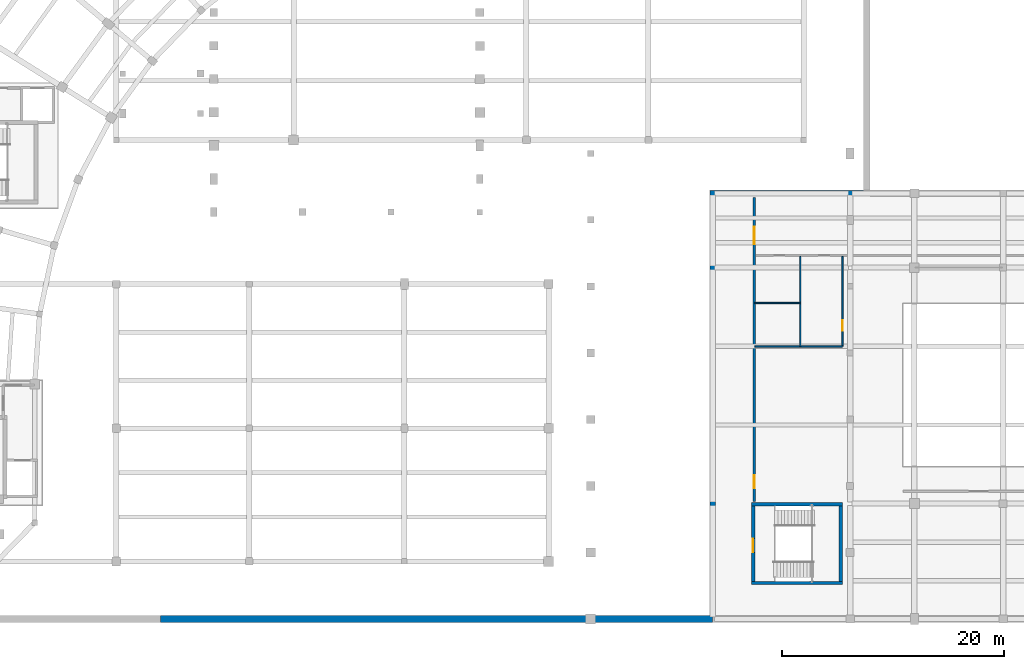
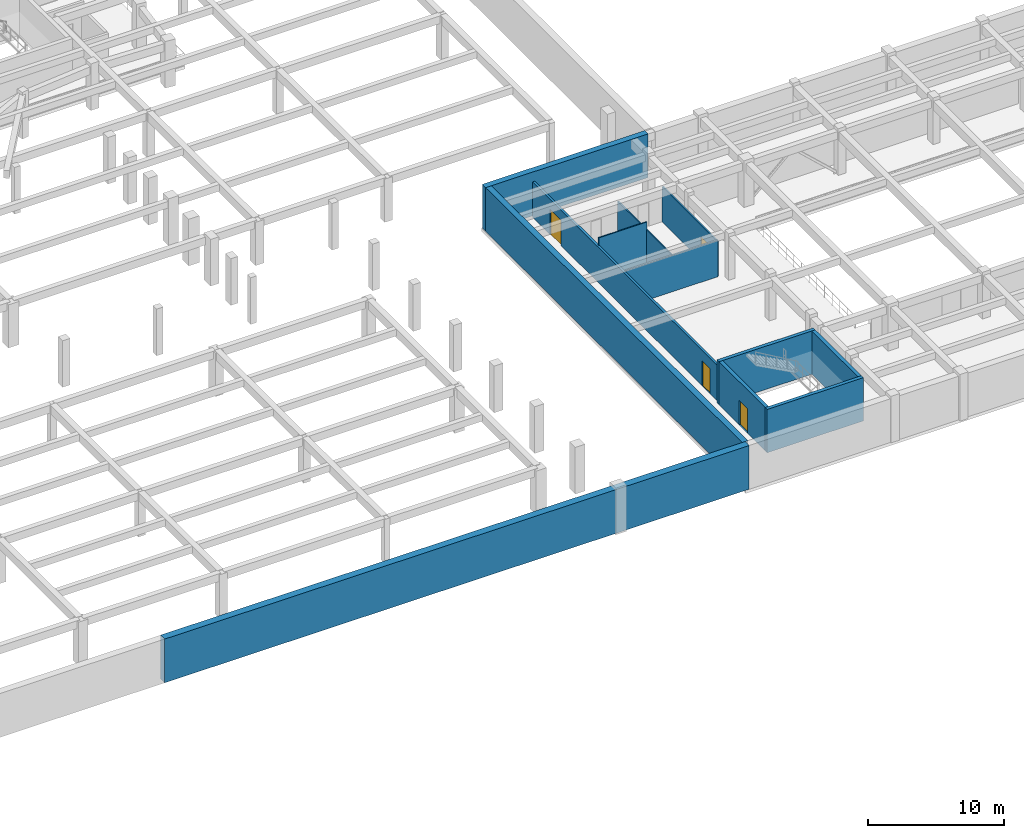
# One storey, part 22 of 35: 12 walls, 4 doors, 4 openings.
"""IFC4 building model written with IfcOpenShell, lengths in metres."""

from ifc_helpers import new_model, si_unit, direction, frame, frame_2d, origin, place, context, subcontext, project, spatial, rectangle, extrude, material, layer, layer_set, type_object, element, fill, save


model = new_model("IFC4")

# Units and contexts
model_context = context("Model", 3, precision=1e-05, world=origin(), true_north=direction((0.0, 1.0)))
body_context = subcontext(model_context, "Body", "Model", "MODEL_VIEW")
ifc_project = project(units=[si_unit("LENGTHUNIT", "METRE"), si_unit("AREAUNIT", "SQUARE_METRE"), si_unit("VOLUMEUNIT", "CUBIC_METRE"), si_unit("PLANEANGLEUNIT", "RADIAN"), si_unit("MASSUNIT", "GRAM", prefix="KILO"), si_unit("THERMODYNAMICTEMPERATUREUNIT", "KELVIN"), si_unit("POWERUNIT", "WATT")], contexts=[model_context])

# Site, building, storey
site_placement = place(None, origin())
site = spatial("IfcSite", under=ifc_project, at=site_placement, CompositionType="ELEMENT")
building_placement = place(site_placement, origin())
building = spatial("IfcBuilding", under=site, at=building_placement, Name="Solvatero Civic Police Headquarters", CompositionType="ELEMENT")
storey_placement = place(building_placement, frame((0.0, 0.0, -4.199951171875)))
storey = spatial("IfcBuildingStorey", under=building, at=storey_placement, Name="B01", CompositionType="ELEMENT", Elevation=-4.199951171875)

# Walls
ifc_material_1 = material(Name="Gypsum Acoustic Stud", Category="gypsum")
ifc_layer_1 = layer(ifc_material_1, 0.10009765625)
ifc_layer_set_1 = layer_set([ifc_layer_1], Name="Gypsum Acoustic Stud")
wall_type_1 = type_object("IfcWallType", Name="WL-PTN-100", PredefinedType="PARTITIONING", material=ifc_layer_set_1)
wall_1_placement = place(storey_placement, frame((113.60009765625, 33.300048828125, 0.0), z_axis=(0.0, 0.0, 1.0), x_axis=(1.0, 0.0, 0.0)))
element("IfcWall", 1, at=wall_1_placement, inside=storey, type_object=wall_type_1, Name="Interior Partition WLP-B01-WC-M", PredefinedType="PARTITIONING", context=body_context, shape_type="SweptSolid", body=[
    extrude(rectangle(XDim=4.099853515625, YDim=0.10009765625, at=frame_2d((2.0498046875, 0.0))), origin(), (0.0, 0.0, 1.0), 3.8798828125),
])
wall_2_placement = place(storey_placement, frame((117.699951171875, 29.39990234375, 0.0), z_axis=(0.0, 0.0, 1.0), x_axis=(0.0, 1.0, 0.0)))
element("IfcWall", 2, at=wall_2_placement, inside=storey, type_object=wall_type_1, Name="Interior Partition WLP-B01-WCA-E", PredefinedType="PARTITIONING", context=body_context, shape_type="SweptSolid", body=[
    extrude(rectangle(XDim=8.10009765625, YDim=0.10009765625, at=frame_2d((4.050048828125, 0.0))), origin(), (0.0, 0.0, 1.0), 3.18798828125),
])

# Wall, opening, door
ifc_material_2 = material(Name="Gypsum Double-Stud", Category="gypsum")
ifc_layer_2 = layer(ifc_material_2, 0.135009765625)
ifc_layer_set_2 = layer_set([ifc_layer_2], Name="Gypsum Double-Stud")
wall_type_2 = type_object("IfcWallType", Name="WL-PTN-135", PredefinedType="PARTITIONING", material=ifc_layer_set_2)
wall_3_placement = place(storey_placement, frame((121.5, 29.39990234375, 0.0), z_axis=(0.0, 0.0, 1.0), x_axis=(0.0, 1.0, 0.0)))
wall_3 = element("IfcWall", 3, at=wall_3_placement, inside=storey, type_object=wall_type_2, Name="Interior Partition WLP-B01-WCE", PredefinedType="PARTITIONING", context=body_context, shape_type="SweptSolid", body=[
    extrude(rectangle(XDim=8.10009765625, YDim=0.135009765625, at=frame_2d((4.050048828125, 0.0))), origin(), (0.0, 0.0, 1.0), 3.18798828125),
])
opening_1_placement = place(wall_3_placement, frame((1.39990234375, 0.0, 0.0)))
opening_1 = element("IfcOpeningElement", 4, at=opening_1_placement, cuts=wall_3, Name="Opening ID-04", PredefinedType="OPENING", context=body_context, shape_type="SweptSolid", body=[
    extrude(rectangle(XDim=0.949951171875, YDim=2.14990234375, at=frame_2d((0.47509765625, 1.074951171875))), frame((0.0, 0.077392578125, 0.0), z_axis=(0.0, -1.0, 0.0), x_axis=(1.0, 0.0, 0.0)), (0.0, 0.0, 1.0), 0.155029296875),
])
ifc_material_3 = material(Name="Acoustic Oak Timber Veneer", Category="wood")
door_type_1 = type_object("IfcDoorType", Name="DR-ACC-095x215", OperationType="NOTDEFINED", PredefinedType="DOOR", material=ifc_material_3)
door_1_placement = place(opening_1_placement, origin())
door_1 = element("IfcDoor", 5, at=door_1_placement, inside=storey, type_object=door_type_1, Name="Interior Door DR-B01-WCA", OperationType="SINGLE_SWING_LEFT", OverallHeight=2.14990234375, OverallWidth=0.949951171875, PredefinedType="DOOR", context=body_context, shape_type="SweptSolid", body=[
    extrude(rectangle(XDim=0.949951171875, YDim=2.14990234375, at=frame_2d((0.47509765625, 1.074951171875))), frame((0.0, 0.02490234375, 0.0), z_axis=(0.0, -1.0, 0.0), x_axis=(1.0, 0.0, 0.0)), (0.0, 0.0, 1.0), 0.050048828125),
])
fill(opening_1, door_1)

# Wall
wall_4_placement = place(storey_placement, frame((113.60009765625, 29.39990234375, 0.0), z_axis=(0.0, 0.0, 1.0), x_axis=(1.0, 0.0, 0.0)))
element("IfcWall", 6, at=wall_4_placement, inside=storey, type_object=wall_type_2, Name="Interior Partition WLP-B01-WC-S", PredefinedType="PARTITIONING", context=body_context, shape_type="SweptSolid", body=[
    extrude(rectangle(XDim=7.89990234375, YDim=0.135009765625, at=frame_2d((3.949951171875, 0.0))), origin(), (0.0, 0.0, 1.0), 3.2900390625),
])

# Wall, openings, doors
ifc_material_4 = material(Name="Concrete Blockwork", Category="masonry")
ifc_layer_3 = layer(ifc_material_4, 0.199951171875)
ifc_layer_set_3 = layer_set([ifc_layer_3], Name="Concrete Blockwork")
wall_type_3 = type_object("IfcWallType", Name="WL-PTN-200", PredefinedType="PARTITIONING", material=ifc_layer_set_3)
wall_5_placement = place(storey_placement, frame((113.550048828125, 15.39990234375, 0.0), z_axis=(0.0, 0.0, 1.0), x_axis=(0.0, 1.0, 0.0)))
wall_5 = element("IfcWall", 7, at=wall_5_placement, inside=storey, type_object=wall_type_3, Name="Interior Partition WLP-B01-C5LOB-E", PredefinedType="PARTITIONING", context=body_context, shape_type="SweptSolid", body=[
    extrude(rectangle(XDim=27.400146484375, YDim=0.199951171875, at=frame_2d((13.7001953125, 0.0))), origin(), (0.0, 0.0, 1.0), 3.18798828125),
])
opening_2_placement = place(wall_5_placement, frame((23.199951171875, 0.0, 0.0)))
opening_2 = element("IfcOpeningElement", 8, at=opening_2_placement, cuts=wall_5, Name="Opening ID-15", PredefinedType="OPENING", context=body_context, shape_type="SweptSolid", body=[
    extrude(rectangle(XDim=1.60009765625, YDim=2.300048828125, at=frame_2d((0.800048828125, 1.14990234375))), frame((0.0, 0.10986328125, 0.0), z_axis=(0.0, -1.0, 0.0), x_axis=(1.0, 0.0, 0.0)), (0.0, 0.0, 1.0), 0.219970703125),
])
opening_3_placement = place(wall_5_placement, frame((1.199951171875, 0.0, 0.0)))
opening_3 = element("IfcOpeningElement", 9, at=opening_3_placement, cuts=wall_5, Name="Opening ID-11", PredefinedType="OPENING", context=body_context, shape_type="SweptSolid", body=[
    extrude(rectangle(XDim=1.179931640625, YDim=2.239990234375, at=frame_2d((0.58984375, 1.1201171875))), frame((0.0, 0.10986328125, 0.0), z_axis=(0.0, -1.0, 0.0), x_axis=(1.0, 0.0, 0.0)), (0.0, 0.0, 1.0), 0.219970703125),
])
ifc_material_5 = material(Name="Powder-Coated Steel", Category="steel")
door_type_2 = type_object("IfcDoorType", Name="DR-COR-118x224", OperationType="NOTDEFINED", PredefinedType="DOOR", material=ifc_material_5)
door_2_placement = place(opening_3_placement, origin())
door_2 = element("IfcDoor", 10, at=door_2_placement, inside=storey, type_object=door_type_2, Name="Interior Door DR-B01-C5-GALS", OperationType="SINGLE_SWING_LEFT", OverallHeight=2.239990234375, OverallWidth=1.179931640625, PredefinedType="DOOR", context=body_context, shape_type="SweptSolid", body=[
    extrude(rectangle(XDim=1.179931640625, YDim=2.239990234375, at=frame_2d((0.58984375, 1.1201171875))), frame((0.0, 0.02490234375, 0.0), z_axis=(0.0, -1.0, 0.0), x_axis=(1.0, 0.0, 0.0)), (0.0, 0.0, 1.0), 0.050048828125),
])
fill(opening_3, door_2)
door_type_3 = type_object("IfcDoorType", Name="DR-DBL-160x230", OperationType="NOTDEFINED", PredefinedType="DOOR", material=ifc_material_5)
door_3_placement = place(opening_2_placement, origin())
door_3 = element("IfcDoor", 11, at=door_3_placement, inside=storey, type_object=door_type_3, Name="Interior Door DR-B01-C5-CORR", OperationType="DOUBLE_DOOR_SINGLE_SWING", OverallHeight=2.300048828125, OverallWidth=1.60009765625, PredefinedType="DOOR", context=body_context, shape_type="SweptSolid", body=[
    extrude(rectangle(XDim=1.60009765625, YDim=2.300048828125, at=frame_2d((0.800048828125, 1.14990234375))), frame((0.0, 0.02490234375, 0.0), z_axis=(0.0, -1.0, 0.0), x_axis=(1.0, 0.0, 0.0)), (0.0, 0.0, 1.0), 0.050048828125),
])
fill(opening_2, door_3)

# Walls
ifc_material_6 = material(Name="Concrete C35/45", Category="concrete")
ifc_layer_4 = layer(ifc_material_6, 0.5)
ifc_layer_set_4 = layer_set([ifc_layer_4], Name="Concrete C35/45")
wall_type_4 = type_object("IfcWallType", Name="WL-RET-500", PredefinedType="USERDEFINED", material=ifc_layer_set_4)
wall_6_placement = place(storey_placement, frame((109.800048828125, 5.10009765625, 0.0), z_axis=(0.0, 0.0, 1.0), x_axis=(0.0, 1.0, 0.0)))
element("IfcWall", 12, at=wall_6_placement, inside=storey, type_object=wall_type_4, Name="B01 Watertight Tanked Retaining Wall RW-INT-EW", ObjectType="RETAINING WALL", PredefinedType="USERDEFINED", context=body_context, shape_type="SweptSolid", body=[
    extrude(rectangle(XDim=37.849853515625, YDim=0.5, at=frame_2d((18.9248046875, 0.0))), origin(), (0.0, 0.0, 1.0), 3.93994140625),
])
wall_7_placement = place(storey_placement, frame((109.550048828125, 43.199951171875, 0.0), z_axis=(0.0, 0.0, 1.0), x_axis=(1.0, 0.0, 0.0)))
element("IfcWall", 13, at=wall_7_placement, inside=storey, type_object=wall_type_4, Name="B01 Watertight Tanked Retaining Wall RW-INT-EN", ObjectType="RETAINING WALL", PredefinedType="USERDEFINED", context=body_context, shape_type="SweptSolid", body=[
    extrude(rectangle(XDim=13.849853515625, YDim=0.5, at=frame_2d((6.9248046875, 0.0))), origin(), (0.0, 0.0, 1.0), 3.93994140625),
])
ifc_layer_5 = layer(ifc_material_6, 0.60009765625)
ifc_layer_set_5 = layer_set([ifc_layer_5], Name="Concrete C35/45")
wall_type_5 = type_object("IfcWallType", Name="WL-RET-600", PredefinedType="USERDEFINED", material=ifc_layer_set_5)
wall_8_placement = place(storey_placement, frame((60.0, 4.800048828125, 0.0), z_axis=(0.0, 0.0, 1.0), x_axis=(1.0, 0.0, 0.0)))
element("IfcWall", 14, at=wall_8_placement, inside=storey, type_object=wall_type_5, Name="B01 Watertight Tanked Retaining Wall RW-PERIM-S2", ObjectType="RETAINING WALL", PredefinedType="USERDEFINED", context=body_context, shape_type="SweptSolid", body=[
    extrude(rectangle(XDim=49.800048828125, YDim=0.60009765625, at=frame_2d((24.89990234375, 0.0))), origin(), (0.0, 0.0, 1.0), 3.93994140625),
])
ifc_material_7 = material(Name="Concrete C40/50", Category="concrete")
ifc_layer_6 = layer(ifc_material_7, 0.300048828125)
ifc_layer_set_6 = layer_set([ifc_layer_6], Name="Concrete C40/50")
wall_type_6 = type_object("IfcWallType", Name="WL-SHR-300", PredefinedType="SHEAR", material=ifc_layer_set_6)
for number, where, z_axis, x_axis, name in (
    (15, (113.300048828125, 8.050048828125, 0.0), (0.0, 0.0, 1.0), (1.0, 0.0, 0.0), "Core C5 Shear Wall S B01"),
    (16, (113.300048828125, 15.14990234375, 0.0), (0.0, 0.0, 1.0), (1.0, 0.0, 0.0), "Core C5 Shear Wall N B01"),
):
    element("IfcWall", number, at=place(storey_placement, frame(where, z_axis=z_axis, x_axis=x_axis)), inside=storey, type_object=wall_type_6, Name=name, PredefinedType="SHEAR", context=body_context, shape_type="SweptSolid", body=[
        extrude(rectangle(XDim=8.199951171875, YDim=0.300048828125, at=frame_2d((4.10009765625, 0.0))), origin(), (0.0, 0.0, 1.0), 3.89990234375),
    ])

# Wall, opening, door
wall_9_placement = place(storey_placement, frame((113.449951171875, 8.199951171875, 0.0), z_axis=(0.0, 0.0, 1.0), x_axis=(0.0, 1.0, 0.0)))
wall_9 = element("IfcWall", 17, at=wall_9_placement, inside=storey, type_object=wall_type_6, Name="Core C5 Shear Wall W B01", PredefinedType="SHEAR", context=body_context, shape_type="SweptSolid", body=[
    extrude(rectangle(XDim=6.800048828125, YDim=0.300048828125, at=frame_2d((3.39990234375, 0.0))), origin(), (0.0, 0.0, 1.0), 3.89990234375),
])
opening_4_placement = place(wall_9_placement, frame((2.60009765625, 0.0, 0.0)))
opening_4 = element("IfcOpeningElement", 18, at=opening_4_placement, cuts=wall_9, Name="Opening FD-01", PredefinedType="OPENING", context=body_context, shape_type="SweptSolid", body=[
    extrude(rectangle(XDim=1.25, YDim=2.199951171875, at=frame_2d((0.625, 1.10009765625))), frame((0.0, 0.159912109375, 0.0), z_axis=(0.0, -1.0, 0.0), x_axis=(1.0, 0.0, 0.0)), (0.0, 0.0, 1.0), 0.320068359375),
])
door_type_4 = type_object("IfcDoorType", Name="DR-STR-125x220", OperationType="NOTDEFINED", PredefinedType="DOOR", material=ifc_material_5)
door_4_placement = place(opening_4_placement, origin())
door_4 = element("IfcDoor", 19, at=door_4_placement, inside=storey, type_object=door_type_4, Name="Interior Door DR-STR-C5-B01", OperationType="SINGLE_SWING_LEFT", OverallHeight=2.199951171875, OverallWidth=1.25, PredefinedType="DOOR", context=body_context, shape_type="SweptSolid", body=[
    extrude(rectangle(XDim=1.25, YDim=2.199951171875, at=frame_2d((0.625, 1.10009765625))), frame((0.0, 0.02490234375, 0.0), z_axis=(0.0, -1.0, 0.0), x_axis=(1.0, 0.0, 0.0)), (0.0, 0.0, 1.0), 0.050048828125),
])
fill(opening_4, door_4)

# Wall
wall_10_placement = place(storey_placement, frame((121.35009765625, 8.199951171875, 0.0), z_axis=(0.0, 0.0, 1.0), x_axis=(0.0, 1.0, 0.0)))
element("IfcWall", 20, at=wall_10_placement, inside=storey, type_object=wall_type_6, Name="Core C5 Shear Wall E B01", PredefinedType="SHEAR", context=body_context, shape_type="SweptSolid", body=[
    extrude(rectangle(XDim=6.800048828125, YDim=0.300048828125, at=frame_2d((3.39990234375, 0.0))), origin(), (0.0, 0.0, 1.0), 3.89990234375),
])

save(model, "model.ifc")
